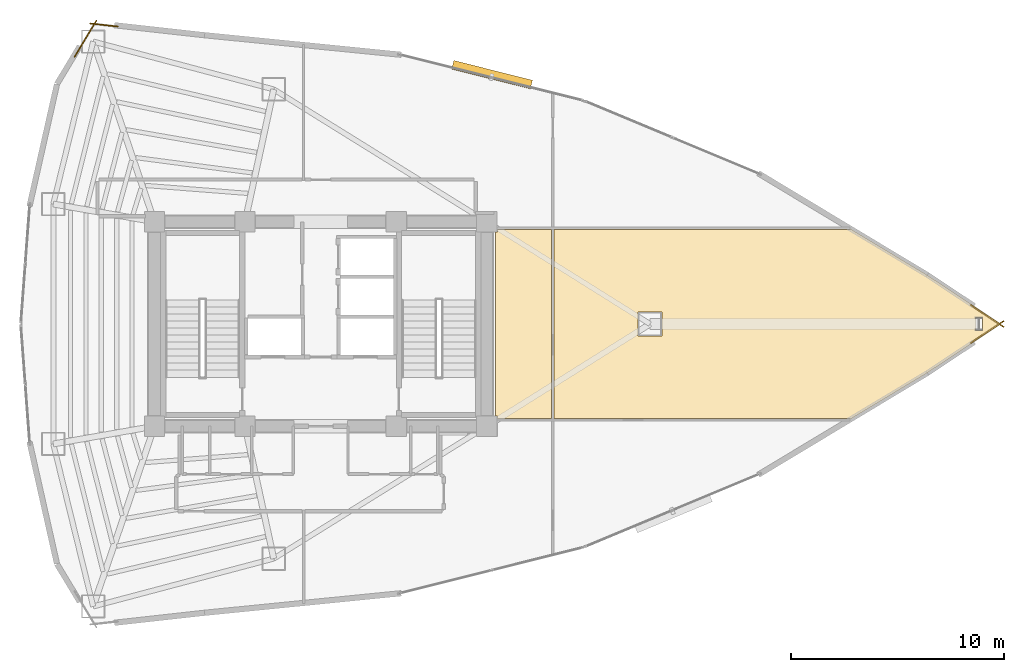
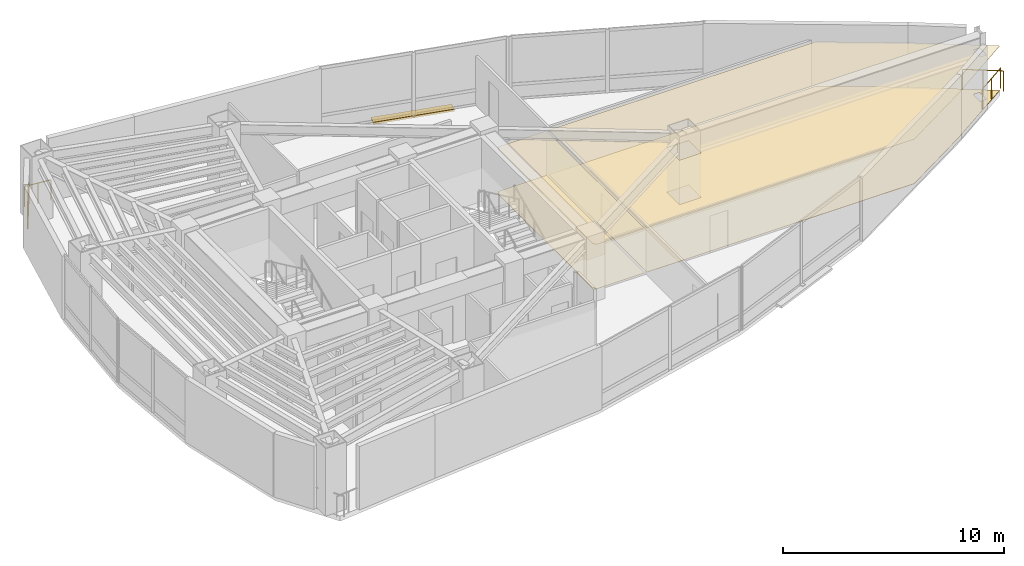
# One storey, part 17 of 17: 4 coverings, 4 railings, 1 shading device.
"""IFC4 building model written with IfcOpenShell, lengths in metres."""

import ifcopenshell
import ifcopenshell.guid

model = None  # the IFC model being written
_history = None  # IfcOwnerHistory: only IFC2X3 demands one
_inside = {}  # id of a spatial element -> (the spatial element, [elements in it])
_under = {}  # id of a project, library or spatial element -> (it, [spatial elements below it])
_declared = {}  # id of a project -> (the project, [libraries it declares])
_typed = {}  # id of a type object -> (the type object, [elements of that type])
_made_of = {}  # id of a material, layer set ... -> (it, [elements and type objects made of it])


def new_model(schema):
    """Start an empty IFC model of exactly this schema.

    Asked for "IFC4X3", IfcOpenShell would pick the latest addendum, in which some entities
    have other attributes; the version numbers below select the first issue.
    IFC2X3 requires an IfcOwnerHistory on every rooted entity: one is made here for all.
    """
    global model, _history
    if schema == "IFC4X3":
        model = ifcopenshell.file(schema_version=(4, 3, 0, 0))
    else:
        model = ifcopenshell.file(schema=schema)
    _inside.clear()
    _under.clear()
    _declared.clear()
    _typed.clear()
    _made_of.clear()
    _history = None
    if model.schema == "IFC2X3":
        org = make("IfcOrganization", Name="unknown")
        user = make(
            "IfcPersonAndOrganization",
            ThePerson=make("IfcPerson", FamilyName="unknown"),
            TheOrganization=org,
        )
        app = make(
            "IfcApplication",
            ApplicationDeveloper=org,
            Version="unknown",
            ApplicationFullName="unknown",
            ApplicationIdentifier="unknown",
        )
        _history = make(
            "IfcOwnerHistory",
            OwningUser=user,
            OwningApplication=app,
            ChangeAction="ADDED",
            CreationDate=0,
        )
    return model


def make(cls, **values):
    """One entity of the class cls with the attributes given. An attribute that is None is left unset."""
    return model.create_entity(
        cls, **{name: value for name, value in values.items() if value is not None}
    )


def rooted(cls, **values):
    """An entity with a GlobalId (a new one), such as an element, a storey or a relation."""
    return make(cls, GlobalId=ifcopenshell.guid.new(), OwnerHistory=_history, **values)


def si_unit(unit_type, name, prefix=None):
    """IfcSIUnit, for example si_unit("LENGTHUNIT", "METRE", prefix="MILLI")."""
    return make("IfcSIUnit", UnitType=unit_type, Prefix=prefix, Name=name)


def assignment(units):
    """IfcUnitAssignment: the units of a project."""
    return None if units is None else make("IfcUnitAssignment", Units=units)


def point(xyz):
    """IfcCartesianPoint."""
    return None if xyz is None else make("IfcCartesianPoint", Coordinates=xyz)


def direction(xyz):
    """IfcDirection."""
    return None if xyz is None else make("IfcDirection", DirectionRatios=xyz)


def frame(location, z_axis=None, x_axis=None):
    """IfcAxis2Placement3D, a coordinate frame: its origin and axes. An axis left out is left unset."""
    return make(
        "IfcAxis2Placement3D",
        Location=point(location),
        Axis=direction(z_axis),
        RefDirection=direction(x_axis),
    )


def frame_2d(location, x_axis=None):
    """IfcAxis2Placement2D, a coordinate frame in the plane: its origin and x axis."""
    return make(
        "IfcAxis2Placement2D", Location=point(location), RefDirection=direction(x_axis)
    )


def origin():
    """The frame at (0, 0, 0) with its axes left unset."""
    return frame((0.0, 0.0, 0.0))


def origin_2d():
    """The frame at (0, 0) in the plane with its x axis left unset."""
    return frame_2d((0.0, 0.0))


def place(relative_to, where):
    """IfcLocalPlacement: puts the frame where relative to a parent placement (None: the world)."""
    return make(
        "IfcLocalPlacement", PlacementRelTo=relative_to, RelativePlacement=where
    )


def context(
    kind, dimensions, precision=None, world=None, true_north=None, identifier=None
):
    """IfcGeometricRepresentationContext, for example the 3D "Model" context."""
    return make(
        "IfcGeometricRepresentationContext",
        ContextIdentifier=identifier,
        ContextType=kind,
        CoordinateSpaceDimension=dimensions,
        Precision=precision,
        WorldCoordinateSystem=world,
        TrueNorth=true_north,
    )


def subcontext(parent, identifier, kind, view, scale=None):
    """IfcGeometricRepresentationSubContext, for example "Body" below "Model"."""
    return make(
        "IfcGeometricRepresentationSubContext",
        ContextIdentifier=identifier,
        ContextType=kind,
        ParentContext=parent,
        TargetScale=scale,
        TargetView=view,
    )


def project(units=None, contexts=None):
    """IfcProject with its units and contexts."""
    return rooted(
        "IfcProject",
        Name="project",
        RepresentationContexts=contexts,
        UnitsInContext=assignment(units),
    )


def spatial(cls, under=None, at=None, **own):
    """A site, building, storey or space (cls), placed at a placement, below another one or the project."""
    s = rooted(cls, ObjectPlacement=at, **own)
    if under is not None:
        _under.setdefault(under.id(), (under, []))[1].append(s)
    return s


def polyline(points):
    """IfcPolyline through the points."""
    return make("IfcPolyline", Points=[point(p) for p in points])


def profile(cls, at=None, kind="AREA", **sizes):
    """A parametric profile (cls). Its sizes go by their IFC names, for example OverallWidth=200.0."""
    return make(cls, ProfileType=kind, Position=at, **sizes)


def rectangle(**sizes):
    """IfcRectangleProfileDef."""
    return profile("IfcRectangleProfileDef", **sizes)


def circle(**sizes):
    """IfcCircleProfileDef."""
    return profile("IfcCircleProfileDef", **sizes)


def outline(outer, holes=None, kind="AREA"):
    """IfcArbitraryClosedProfileDef: a profile drawn as a closed curve; with holes, ...WithVoids."""
    if holes is None:
        return make("IfcArbitraryClosedProfileDef", ProfileType=kind, OuterCurve=outer)
    return make(
        "IfcArbitraryProfileDefWithVoids",
        ProfileType=kind,
        OuterCurve=outer,
        InnerCurves=holes,
    )


def extrude(swept, where, along, depth):
    """IfcExtrudedAreaSolid: the profile swept, set in the frame where, extruded along a direction by depth."""
    return make(
        "IfcExtrudedAreaSolid",
        SweptArea=swept,
        Position=where,
        ExtrudedDirection=direction(along),
        Depth=depth,
    )


def shape(context_of_items, identifier, shape_type, items):
    """IfcShapeRepresentation: the items that make up one representation, for example the "Body"."""
    return make(
        "IfcShapeRepresentation",
        ContextOfItems=context_of_items,
        RepresentationIdentifier=identifier,
        RepresentationType=shape_type,
        Items=items,
    )


def material(Name=None, Category=None):
    """IfcMaterial."""
    return make("IfcMaterial", Name=Name, Category=Category)


def layer(
    of_material, thickness, ventilated=None, Name=None, Category=None, Priority=None
):
    """IfcMaterialLayer: one layer of a wall or slab, of a material (None: an air gap)."""
    return make(
        "IfcMaterialLayer",
        Material=of_material,
        LayerThickness=thickness,
        IsVentilated=ventilated,
        Name=Name,
        Category=Category,
        Priority=Priority,
    )


def layer_set(layers, Name=None):
    """IfcMaterialLayerSet."""
    return make("IfcMaterialLayerSet", MaterialLayers=layers, LayerSetName=Name)


def made_of(thing, what):
    """Note that an element or type object is made of a material, layer set ...; save() writes the relation."""
    if what is not None:
        _made_of.setdefault(what.id(), (what, []))[1].append(thing)
    return thing


def type_object(cls, material=None, **own):
    """A type object (cls), such as IfcWallType, which elements share."""
    return made_of(rooted(cls, **own), material)


def element(
    cls,
    number,
    at=None,
    inside=None,
    cuts=None,
    type_object=None,
    material=None,
    context=None,
    identifier="Body",
    shape_type=None,
    held_by="IfcProductDefinitionShape",
    body=None,
    shapes=None,
    **own,
):
    """One element of the class cls, such as IfcWall. Its Tag is "e" and its number.

    at: its placement. inside: the storey or other place that contains it. cuts: it is an
    opening in that element (IfcRelVoidsElement). A single representation is given by context,
    identifier, shape_type and body (its items); several are given by shapes. held_by: the class
    of the entity that holds the representations. save() writes the other relations.
    """
    e = rooted(cls, Tag="e%d" % number, ObjectPlacement=at, **own)
    if body is not None:
        shapes = [shape(context, identifier, shape_type, body)]
    if shapes is not None:
        e.Representation = make(held_by, Representations=shapes)
    if inside is not None:
        _inside.setdefault(inside.id(), (inside, []))[1].append(e)
    if cuts is not None:
        rooted(
            "IfcRelVoidsElement", RelatingBuildingElement=cuts, RelatedOpeningElement=e
        )
    if type_object is not None:
        _typed.setdefault(type_object.id(), (type_object, []))[1].append(e)
    return made_of(e, material)


def aggregate(whole, parts):
    """IfcRelAggregates: a whole, such as a stair, and the parts it consists of."""
    return rooted("IfcRelAggregates", RelatingObject=whole, RelatedObjects=parts)


def save(model, path):
    """Write the relations noted so far, then the file.

    IfcRelAggregates (storeys below a building ...), IfcRelContainedInSpatialStructure (elements
    in a storey), IfcRelDefinesByType, IfcRelAssociatesMaterial and IfcRelDeclares: one each for
    every whole, place, type object, material and project.
    """
    for whole, parts in _under.values():
        aggregate(whole, parts)
    for where, things in _inside.values():
        rooted(
            "IfcRelContainedInSpatialStructure",
            RelatedElements=things,
            RelatingStructure=where,
        )
    for kind, things in _typed.values():
        rooted("IfcRelDefinesByType", RelatedObjects=things, RelatingType=kind)
    for what, things in _made_of.values():
        rooted("IfcRelAssociatesMaterial", RelatedObjects=things, RelatingMaterial=what)
    for by, libraries in _declared.values():
        rooted("IfcRelDeclares", RelatingContext=by, RelatedDefinitions=libraries)
    model.write(path)


model = new_model("IFC4")

# Units and contexts
model_context = context("Model", 3, precision=1e-05, world=origin(), true_north=direction((0.0, 1.0)))
body_context = subcontext(model_context, "Body", "Model", "MODEL_VIEW")
ifc_project = project(units=[si_unit("LENGTHUNIT", "METRE"), si_unit("AREAUNIT", "SQUARE_METRE"), si_unit("VOLUMEUNIT", "CUBIC_METRE"), si_unit("PLANEANGLEUNIT", "RADIAN"), si_unit("MASSUNIT", "GRAM", prefix="KILO")], contexts=[model_context])

# Site, building, storey
site_placement = place(None, origin())
site = spatial("IfcSite", under=ifc_project, at=site_placement, CompositionType="ELEMENT")
building_placement = place(site_placement, origin())
building = spatial("IfcBuilding", under=site, at=building_placement, Name="Menara Vayukalpa", CompositionType="ELEMENT")
storey_placement = place(building_placement, frame((0.0, 0.0, 154.320068359375)))
storey = spatial("IfcBuildingStorey", under=building, at=storey_placement, Name="L38", CompositionType="ELEMENT", Elevation=154.320068359375)

# Coverings
ifc_material_1 = material(Name="Mineral Fibre Acoustic Ceiling Tile", Category="masonry")
ifc_layer_1 = layer(ifc_material_1, 0.02490234375)
ifc_layer_set_1 = layer_set([ifc_layer_1], Name="Mineral Fibre Acoustic Ceiling Tile")
covering_type_1 = type_object("IfcCoveringType", Name="COV-CLG1", PredefinedType="CEILING", material=ifc_layer_set_1)
covering_1_placement = place(storey_placement, frame((0.0, 0.0, 2.449951171875)))
element("IfcCovering", 1, at=covering_1_placement, inside=storey, type_object=covering_type_1, Name="L38 Departmental Archive Room Acoustic Ceiling", PredefinedType="CEILING", context=body_context, shape_type="SweptSolid", body=[
    extrude(outline(polyline([(57.52197265625, 22.0078125), (57.522705078125, 22.007080078125), (57.5234375, 22.00634765625), (57.52392578125, 22.005615234375), (57.5244140625, 22.004638671875), (57.52490234375, 22.00390625), (57.525390625, 22.0029296875), (57.525390625, 22.001953125), (57.525634765625, 22.0009765625), (57.525634765625, 22.0), (57.525634765625, 21.9990234375), (57.525390625, 21.998046875), (57.525390625, 21.9970703125), (57.52490234375, 21.99609375), (57.5244140625, 21.995361328125), (57.52392578125, 21.994384765625), (57.5234375, 21.99365234375), (57.522705078125, 21.992919921875), (57.52197265625, 21.9921875), (57.521240234375, 21.99169921875), (54.0810546875, 19.708251953125), (54.080810546875, 19.7080078125), (50.49462890625, 17.5498046875), (50.49365234375, 17.54931640625), (50.492919921875, 17.548828125), (50.49169921875, 17.548583984375), (50.490966796875, 17.54833984375), (50.489990234375, 17.54833984375), (50.489013671875, 17.54833984375), (50.488037109375, 17.54833984375), (50.487060546875, 17.548583984375), (50.486083984375, 17.548828125), (50.485107421875, 17.54931640625), (50.484375, 17.5498046875), (50.47900390625, 17.552978515625), (50.473388671875, 17.555419921875), (50.468017578125, 17.557373046875), (50.46240234375, 17.558837890625), (50.45654296875, 17.559814453125), (50.450439453125, 17.56005859375), (36.570068359375, 17.56005859375), (36.569091796875, 17.56005859375), (36.568115234375, 17.560302734375), (36.567138671875, 17.560302734375), (36.566162109375, 17.560791015625), (36.565185546875, 17.561279296875), (36.564453125, 17.561767578125), (36.563720703125, 17.562255859375), (36.56298828125, 17.56298828125), (36.562255859375, 17.563720703125), (36.561767578125, 17.564453125), (36.561279296875, 17.565185546875), (36.560791015625, 17.566162109375), (36.560302734375, 17.567138671875), (36.560302734375, 17.568115234375), (36.56005859375, 17.569091796875), (36.56005859375, 17.570068359375), (36.56005859375, 26.429931640625), (36.56005859375, 26.430908203125), (36.560302734375, 26.431884765625), (36.560302734375, 26.432861328125), (36.560791015625, 26.433837890625), (36.561279296875, 26.434814453125), (36.561767578125, 26.435546875), (36.562255859375, 26.436279296875), (36.56298828125, 26.43701171875), (36.563720703125, 26.437744140625), (36.564453125, 26.438232421875), (36.565185546875, 26.438720703125), (36.566162109375, 26.439208984375), (36.567138671875, 26.439697265625), (36.568115234375, 26.439697265625), (36.569091796875, 26.43994140625), (36.570068359375, 26.43994140625), (50.450439453125, 26.43994140625), (50.45654296875, 26.440185546875), (50.46240234375, 26.441162109375), (50.468017578125, 26.442626953125), (50.473388671875, 26.444580078125), (50.47900390625, 26.447021484375), (50.484375, 26.4501953125), (50.485107421875, 26.45068359375), (50.486083984375, 26.451171875), (50.487060546875, 26.451416015625), (50.488037109375, 26.45166015625), (50.489013671875, 26.45166015625), (50.489990234375, 26.45166015625), (50.490966796875, 26.45166015625), (50.49169921875, 26.451416015625), (50.492919921875, 26.451171875), (50.49365234375, 26.45068359375), (50.49462890625, 26.4501953125), (54.080810546875, 24.2919921875), (54.0810546875, 24.291748046875), (57.521240234375, 22.00830078125), (57.52197265625, 22.0078125)]), holes=[polyline([(41.6240234375, 22.56494140625), (40.494140625, 22.56494140625), (40.494140625, 21.43505859375), (41.6240234375, 21.43505859375), (41.6240234375, 22.56494140625)]), polyline([(56.6669921875, 22.30908203125), (56.3369140625, 22.30908203125), (56.3369140625, 21.69091796875), (56.6669921875, 21.69091796875), (56.6669921875, 22.30908203125)])]), origin(), (0.0, 0.0, 1.0), 0.02490234375),
])
covering_2_placement = place(storey_placement, frame((0.0, 0.0, 2.449951171875)))
element("IfcCovering", 2, at=covering_2_placement, inside=storey, type_object=covering_type_1, Name="L38 Digital Engineering Lab Acoustic Ceiling", PredefinedType="CEILING", context=body_context, shape_type="SweptSolid", body=[
    extrude(outline(polyline([(36.429931640625, 26.43994140625), (36.430908203125, 26.43994140625), (36.431884765625, 26.439697265625), (36.432861328125, 26.439697265625), (36.433837890625, 26.439208984375), (36.434814453125, 26.438720703125), (36.435546875, 26.438232421875), (36.436279296875, 26.437744140625), (36.43701171875, 26.43701171875), (36.437744140625, 26.436279296875), (36.438232421875, 26.435546875), (36.438720703125, 26.434814453125), (36.439208984375, 26.433837890625), (36.439697265625, 26.432861328125), (36.439697265625, 26.431884765625), (36.43994140625, 26.430908203125), (36.43994140625, 26.429931640625), (36.43994140625, 17.570068359375), (36.43994140625, 17.569091796875), (36.439697265625, 17.568115234375), (36.439697265625, 17.567138671875), (36.439208984375, 17.566162109375), (36.438720703125, 17.565185546875), (36.438232421875, 17.564453125), (36.437744140625, 17.563720703125), (36.43701171875, 17.56298828125), (36.436279296875, 17.562255859375), (36.435546875, 17.561767578125), (36.434814453125, 17.561279296875), (36.433837890625, 17.560791015625), (36.432861328125, 17.560302734375), (36.431884765625, 17.560302734375), (36.430908203125, 17.56005859375), (36.429931640625, 17.56005859375), (33.889892578125, 17.56005859375), (33.889892578125, 17.68994140625), (33.81005859375, 17.68994140625), (33.81005859375, 26.31005859375), (33.889892578125, 26.31005859375), (33.889892578125, 26.43994140625), (36.429931640625, 26.43994140625)])), origin(), (0.0, 0.0, 1.0), 0.02490234375),
])
ifc_material_2 = material(Name="Porcelain Stoneware Floor Tile", Category="masonry")
ifc_layer_2 = layer(ifc_material_2, 0.02001953125)
ifc_layer_set_2 = layer_set([ifc_layer_2], Name="Porcelain Stoneware Floor Tile")
covering_type_2 = type_object("IfcCoveringType", Name="COV-FLR1", PredefinedType="FLOORING", material=ifc_layer_set_2)
covering_3_placement = place(storey_placement, origin())
element("IfcCovering", 3, at=covering_3_placement, inside=storey, type_object=covering_type_2, Name="L38 Departmental Archive Room Porcelain Flooring", PredefinedType="FLOORING", context=body_context, shape_type="SweptSolid", body=[
    extrude(outline(polyline([(57.52197265625, 22.0078125), (57.522705078125, 22.007080078125), (57.5234375, 22.00634765625), (57.52392578125, 22.005615234375), (57.5244140625, 22.004638671875), (57.52490234375, 22.00390625), (57.525390625, 22.0029296875), (57.525390625, 22.001953125), (57.525634765625, 22.0009765625), (57.525634765625, 22.0), (57.525634765625, 21.9990234375), (57.525390625, 21.998046875), (57.525390625, 21.9970703125), (57.52490234375, 21.99609375), (57.5244140625, 21.995361328125), (57.52392578125, 21.994384765625), (57.5234375, 21.99365234375), (57.522705078125, 21.992919921875), (57.52197265625, 21.9921875), (57.521240234375, 21.99169921875), (54.0810546875, 19.708251953125), (54.080810546875, 19.7080078125), (50.49462890625, 17.5498046875), (50.49365234375, 17.54931640625), (50.492919921875, 17.548828125), (50.49169921875, 17.548583984375), (50.490966796875, 17.54833984375), (50.489990234375, 17.54833984375), (50.489013671875, 17.54833984375), (50.488037109375, 17.54833984375), (50.487060546875, 17.548583984375), (50.486083984375, 17.548828125), (50.485107421875, 17.54931640625), (50.484375, 17.5498046875), (50.47900390625, 17.552978515625), (50.473388671875, 17.555419921875), (50.468017578125, 17.557373046875), (50.46240234375, 17.558837890625), (50.45654296875, 17.559814453125), (50.450439453125, 17.56005859375), (36.570068359375, 17.56005859375), (36.569091796875, 17.56005859375), (36.568115234375, 17.560302734375), (36.567138671875, 17.560302734375), (36.566162109375, 17.560791015625), (36.565185546875, 17.561279296875), (36.564453125, 17.561767578125), (36.563720703125, 17.562255859375), (36.56298828125, 17.56298828125), (36.562255859375, 17.563720703125), (36.561767578125, 17.564453125), (36.561279296875, 17.565185546875), (36.560791015625, 17.566162109375), (36.560302734375, 17.567138671875), (36.560302734375, 17.568115234375), (36.56005859375, 17.569091796875), (36.56005859375, 17.570068359375), (36.56005859375, 26.429931640625), (36.56005859375, 26.430908203125), (36.560302734375, 26.431884765625), (36.560302734375, 26.432861328125), (36.560791015625, 26.433837890625), (36.561279296875, 26.434814453125), (36.561767578125, 26.435546875), (36.562255859375, 26.436279296875), (36.56298828125, 26.43701171875), (36.563720703125, 26.437744140625), (36.564453125, 26.438232421875), (36.565185546875, 26.438720703125), (36.566162109375, 26.439208984375), (36.567138671875, 26.439697265625), (36.568115234375, 26.439697265625), (36.569091796875, 26.43994140625), (36.570068359375, 26.43994140625), (50.450439453125, 26.43994140625), (50.45654296875, 26.440185546875), (50.46240234375, 26.441162109375), (50.468017578125, 26.442626953125), (50.473388671875, 26.444580078125), (50.47900390625, 26.447021484375), (50.484375, 26.4501953125), (50.485107421875, 26.45068359375), (50.486083984375, 26.451171875), (50.487060546875, 26.451416015625), (50.488037109375, 26.45166015625), (50.489013671875, 26.45166015625), (50.489990234375, 26.45166015625), (50.490966796875, 26.45166015625), (50.49169921875, 26.451416015625), (50.492919921875, 26.451171875), (50.49365234375, 26.45068359375), (50.49462890625, 26.4501953125), (54.080810546875, 24.2919921875), (54.0810546875, 24.291748046875), (57.521240234375, 22.00830078125), (57.52197265625, 22.0078125)]), holes=[polyline([(41.6240234375, 22.56494140625), (40.494140625, 22.56494140625), (40.494140625, 21.43505859375), (41.6240234375, 21.43505859375), (41.6240234375, 22.56494140625)]), polyline([(56.6669921875, 22.30908203125), (56.3369140625, 22.30908203125), (56.3369140625, 21.69091796875), (56.6669921875, 21.69091796875), (56.6669921875, 22.30908203125)])]), origin(), (0.0, 0.0, 1.0), 0.02001953125),
])
covering_4_placement = place(storey_placement, origin())
element("IfcCovering", 4, at=covering_4_placement, inside=storey, type_object=covering_type_2, Name="L38 Digital Engineering Lab Porcelain Flooring", PredefinedType="FLOORING", context=body_context, shape_type="SweptSolid", body=[
    extrude(outline(polyline([(36.429931640625, 26.43994140625), (36.430908203125, 26.43994140625), (36.431884765625, 26.439697265625), (36.432861328125, 26.439697265625), (36.433837890625, 26.439208984375), (36.434814453125, 26.438720703125), (36.435546875, 26.438232421875), (36.436279296875, 26.437744140625), (36.43701171875, 26.43701171875), (36.437744140625, 26.436279296875), (36.438232421875, 26.435546875), (36.438720703125, 26.434814453125), (36.439208984375, 26.433837890625), (36.439697265625, 26.432861328125), (36.439697265625, 26.431884765625), (36.43994140625, 26.430908203125), (36.43994140625, 26.429931640625), (36.43994140625, 17.570068359375), (36.43994140625, 17.569091796875), (36.439697265625, 17.568115234375), (36.439697265625, 17.567138671875), (36.439208984375, 17.566162109375), (36.438720703125, 17.565185546875), (36.438232421875, 17.564453125), (36.437744140625, 17.563720703125), (36.43701171875, 17.56298828125), (36.436279296875, 17.562255859375), (36.435546875, 17.561767578125), (36.434814453125, 17.561279296875), (36.433837890625, 17.560791015625), (36.432861328125, 17.560302734375), (36.431884765625, 17.560302734375), (36.430908203125, 17.56005859375), (36.429931640625, 17.56005859375), (33.889892578125, 17.56005859375), (33.889892578125, 17.68994140625), (33.81005859375, 17.68994140625), (33.81005859375, 26.31005859375), (33.889892578125, 26.31005859375), (33.889892578125, 26.43994140625), (36.429931640625, 26.43994140625)])), origin(), (0.0, 0.0, 1.0), 0.02001953125),
])

# Railings
ifc_material_3 = material(Name="Laminated Glass and Stainless Steel 316 Guardrail", Category="steel")
railing_type = type_object("IfcRailingType", Name="RLG-EXT115", PredefinedType="GUARDRAIL", material=ifc_material_3)
railing_1_placement = place(storey_placement, frame((56.1171875, 21.107666015625, 0.0)))
element("IfcRailing", 5, at=railing_1_placement, inside=storey, type_object=railing_type, Name="L38 Column Corner Spandrel Guardrail 01-1", PredefinedType="GUARDRAIL", context=body_context, shape_type="SweptSolid", body=[
    extrude(circle(Radius=0.02392578125, at=origin_2d()), frame((0.0, 0.0, 1.1259765625), z_axis=(0.833186138722, 0.552992638505, 0.0), x_axis=(-0.552992638505, 0.833186138722, 0.0)), (0.0, 0.0, 1.0), 1.848876953125),
    extrude(circle(Radius=0.02099609375, at=origin_2d()), origin(), (0.0, 0.0, 1.0), 1.101806640625),
    extrude(circle(Radius=0.02099609375, at=origin_2d()), frame((0.770263671875, 0.51123046875, 0.0)), (0.0, 0.0, 1.0), 1.101806640625),
    extrude(circle(Radius=0.02099609375, at=origin_2d()), frame((1.54052734375, 1.0224609375, 0.0)), (0.0, 0.0, 1.0), 1.101806640625),
])
railing_2_placement = place(storey_placement, frame((57.65771484375, 21.869873046875, 0.0)))
element("IfcRailing", 6, at=railing_2_placement, inside=storey, type_object=railing_type, Name="L38 Column Corner Spandrel Guardrail 02-1", PredefinedType="GUARDRAIL", context=body_context, shape_type="SweptSolid", body=[
    extrude(circle(Radius=0.02392578125, at=origin_2d()), frame((0.0, 0.0, 1.1259765625), z_axis=(-0.833186138722, 0.552992638505, 0.0), x_axis=(-0.552992638505, -0.833186138722, 0.0)), (0.0, 0.0, 1.0), 1.848876953125),
    extrude(circle(Radius=0.02099609375, at=origin_2d()), origin(), (0.0, 0.0, 1.0), 1.101806640625),
    extrude(circle(Radius=0.02099609375, at=origin_2d()), frame((-0.770263671875, 0.51123046875, 0.0)), (0.0, 0.0, 1.0), 1.101806640625),
    extrude(circle(Radius=0.02099609375, at=origin_2d()), frame((-1.54052734375, 1.0224609375, 0.0)), (0.0, 0.0, 1.0), 1.101806640625),
])
railing_3_placement = place(storey_placement, frame((16.074951171875, 35.964111328125, 0.0)))
element("IfcRailing", 7, at=railing_3_placement, inside=storey, type_object=railing_type, Name="L38 Column Corner Spandrel Guardrail 07-1", PredefinedType="GUARDRAIL", context=body_context, shape_type="SweptSolid", body=[
    extrude(circle(Radius=0.02392578125, at=origin_2d()), frame((0.0, 0.0, 1.1259765625), z_axis=(-0.99393179446, 0.109998127083, 0.0), x_axis=(-0.109998127083, -0.99393179446, 0.0)), (0.0, 0.0, 1.0), 1.29833984375),
    extrude(circle(Radius=0.02099609375, at=origin_2d()), origin(), (0.0, 0.0, 1.0), 1.101806640625),
    extrude(circle(Radius=0.02099609375, at=origin_2d()), frame((-0.645263671875, 0.0712890625, 0.0)), (0.0, 0.0, 1.0), 1.101806640625),
    extrude(circle(Radius=0.02099609375, at=origin_2d()), frame((-1.29052734375, 0.142822265625, 0.0)), (0.0, 0.0, 1.0), 1.101806640625),
])
railing_4_placement = place(storey_placement, frame((15.074462890625, 36.250244140625, 0.0)))
element("IfcRailing", 8, at=railing_4_placement, inside=storey, type_object=railing_type, Name="L38 Column Corner Spandrel Guardrail 08-1", PredefinedType="GUARDRAIL", context=body_context, shape_type="SweptSolid", body=[
    extrude(circle(Radius=0.02392578125, at=origin_2d()), frame((0.0, 0.0, 1.1259765625), z_axis=(-0.516238473258, -0.856444883649, 0.0), x_axis=(0.856444883649, -0.516238473258, 0.0)), (0.0, 0.0, 1.0), 1.9970703125),
    extrude(circle(Radius=0.02099609375, at=origin_2d()), origin(), (0.0, 0.0, 1.0), 1.101806640625),
    extrude(circle(Radius=0.02099609375, at=origin_2d()), frame((-0.515625, -0.855224609375, 0.0)), (0.0, 0.0, 1.0), 1.101806640625),
    extrude(circle(Radius=0.02099609375, at=origin_2d()), frame((-1.031005859375, -1.71044921875, 0.0)), (0.0, 0.0, 1.0), 1.101806640625),
])

# Shading device
ifc_material_4 = material(Name="Glazed Terracotta Ceramic Baguette Extrusion", Category="masonry")
ifc_layer_3 = layer(ifc_material_4, 0.1201171875)
ifc_layer_set_3 = layer_set([ifc_layer_3], Name="Glazed Terracotta Ceramic Baguette Extrusion")
shading_device_type = type_object("IfcShadingDeviceType", Name="SHD-SS1", PredefinedType="USERDEFINED", material=ifc_layer_set_3)
shading_device_placement = place(storey_placement, frame((33.647705078125, 33.703125, -0.10009765625), z_axis=(0.0, 0.0, 1.0), x_axis=(-0.969999438853, 0.243107154615, 0.0)))
element("IfcShadingDevice", 9, at=shading_device_placement, inside=storey, type_object=shading_device_type, Name="L38 Horizontal Terracotta Sunshade Band 05", ObjectType="SUNSHADE", PredefinedType="USERDEFINED", context=body_context, shape_type="SweptSolid", body=[
    extrude(rectangle(XDim=3.800048828125, YDim=0.419921875, at=origin_2d()), origin(), (0.0, 0.0, 1.0), 0.1201171875),
])

save(model, "model.ifc")
